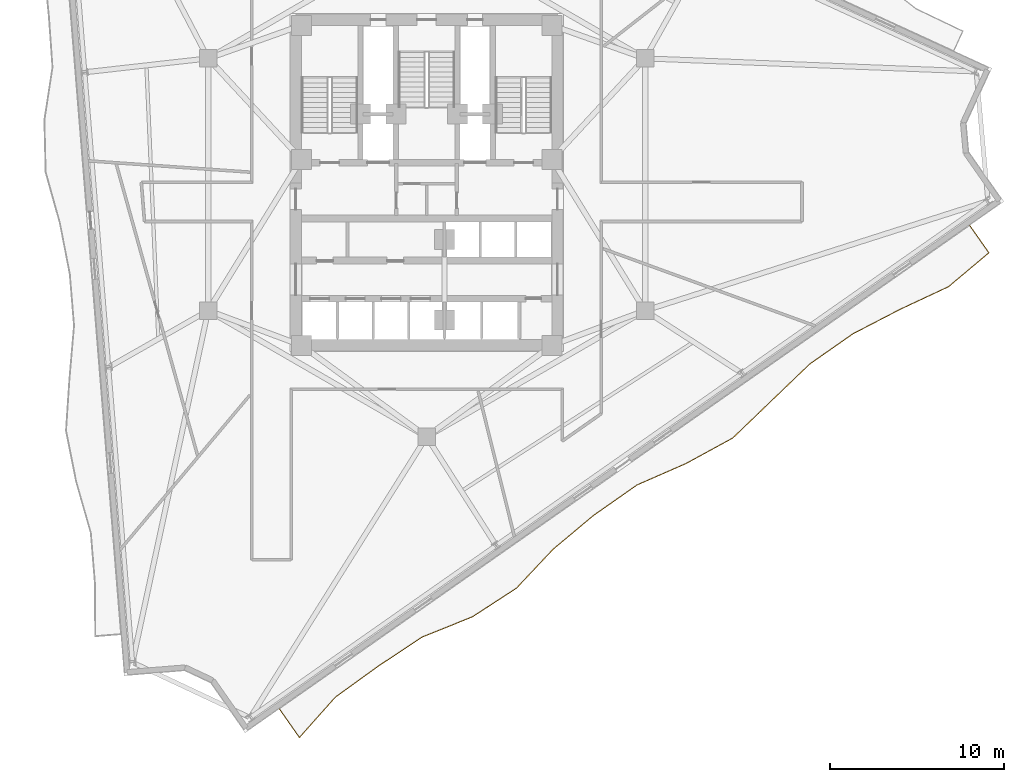
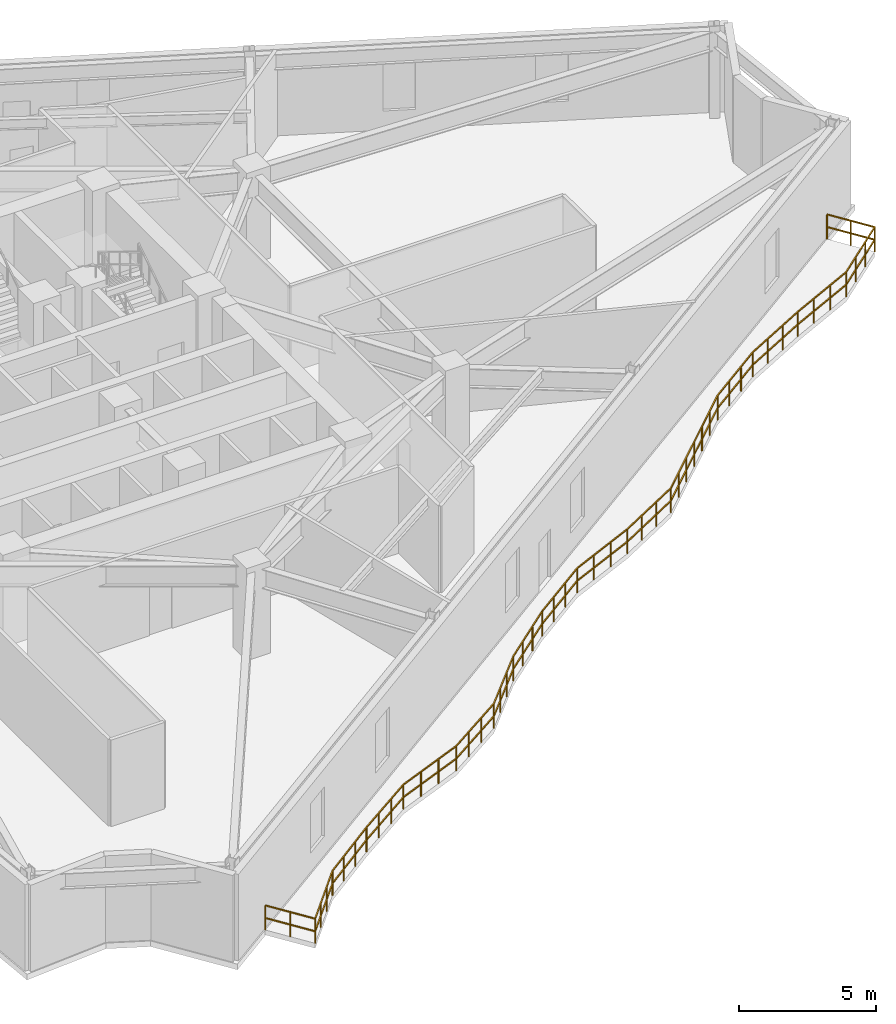
# One storey, part 9 of 11: 1 railing.
"""IFC4 building model written with IfcOpenShell, lengths in metres."""

from ifc_helpers import new_model, si_unit, direction, frame, origin, origin_2d, place, context, subcontext, project, spatial, rectangle, extrude, material, type_object, element, save


model = new_model("IFC4")

# Units and contexts
model_context = context("Model", 3, precision=1e-05, world=origin(), true_north=direction((0.0, 1.0)))
body_context = subcontext(model_context, "Body", "Model", "MODEL_VIEW")
ifc_project = project(units=[si_unit("LENGTHUNIT", "METRE"), si_unit("AREAUNIT", "SQUARE_METRE"), si_unit("VOLUMEUNIT", "CUBIC_METRE"), si_unit("PLANEANGLEUNIT", "RADIAN"), si_unit("MASSUNIT", "GRAM", prefix="KILO")], contexts=[model_context])

# Site, building, storey
site_placement = place(None, origin())
site = spatial("IfcSite", under=ifc_project, at=site_placement, CompositionType="ELEMENT")
building_placement = place(site_placement, origin())
building = spatial("IfcBuilding", under=site, at=building_placement, Name="Apsidion Concourse Tower", CompositionType="ELEMENT")
storey_placement = place(building_placement, frame((0.0, 0.0, 206.5)))
storey = spatial("IfcBuildingStorey", under=building, at=storey_placement, Name="L48", CompositionType="ELEMENT", Elevation=206.5)

# Railing
ifc_material = material(Name="Brushed stainless steel 316", Category="steel")
railing_type = type_object("IfcRailingType", Name="RL-BAL-1120", PredefinedType="BALUSTRADE", material=ifc_material)
railing_placement = place(storey_placement, frame((31.23095703125, -2.356689453125, 0.0)))
element("IfcRailing", 1, at=railing_placement, inside=storey, type_object=railing_type, Name="L48 Face 2 Rippling Balcony Balustrade", PredefinedType="BALUSTRADE", context=body_context, shape_type="SweptSolid", body=[
    extrude(rectangle(XDim=0.048095703125, YDim=0.048095703125, at=origin_2d()), frame((0.0, 0.0, 1.09619140625), z_axis=(0.57360747874, -0.819130307298, 0.0), x_axis=(0.819130307298, 0.57360747874, 0.0)), (0.0, 0.0, 1.0), 1.919189453125),
    extrude(rectangle(XDim=0.048095703125, YDim=0.048095703125, at=origin_2d()), frame((0.0, 0.0, 0.5361328125), z_axis=(0.57360747874, -0.819130307298, 0.0), x_axis=(0.819130307298, 0.57360747874, 0.0)), (0.0, 0.0, 1.0), 1.919189453125),
    extrude(rectangle(XDim=0.048095703125, YDim=0.048095703125, at=origin_2d()), frame((1.100830078125, -1.572021484375, 1.09619140625), z_axis=(-0.766084397275, -0.642739991173, 0.0), x_axis=(0.642739991173, -0.766084397275, 0.0)), (0.0, 0.0, 1.0), 3.040283203125),
    extrude(rectangle(XDim=0.048095703125, YDim=0.048095703125, at=origin_2d()), frame((1.100830078125, -1.572021484375, 0.5361328125), z_axis=(-0.766084397275, -0.642739991173, 0.0), x_axis=(0.642739991173, -0.766084397275, 0.0)), (0.0, 0.0, 1.0), 3.040283203125),
    extrude(rectangle(XDim=0.048095703125, YDim=0.048095703125, at=origin_2d()), frame((-1.228271484375, -3.526123046875, 1.09619140625), z_axis=(-0.905882748501, -0.423528565705, 0.0), x_axis=(0.423528565705, -0.905882748501, 0.0)), (0.0, 0.0, 1.0), 3.075439453125),
    extrude(rectangle(XDim=0.048095703125, YDim=0.048095703125, at=origin_2d()), frame((-1.228271484375, -3.526123046875, 0.5361328125), z_axis=(-0.905882748501, -0.423528565705, 0.0), x_axis=(0.423528565705, -0.905882748501, 0.0)), (0.0, 0.0, 1.0), 3.075439453125),
    extrude(rectangle(XDim=0.048095703125, YDim=0.048095703125, at=origin_2d()), frame((-4.01416015625, -4.82861328125, 1.09619140625), z_axis=(-0.887663811327, -0.460492082517, 0.0), x_axis=(0.460492082517, -0.887663811327, 0.0)), (0.0, 0.0, 1.0), 3.055419921875),
    extrude(rectangle(XDim=0.048095703125, YDim=0.048095703125, at=origin_2d()), frame((-4.01416015625, -4.82861328125, 0.5361328125), z_axis=(-0.887663811327, -0.460492082517, 0.0), x_axis=(0.460492082517, -0.887663811327, 0.0)), (0.0, 0.0, 1.0), 3.055419921875),
    extrude(rectangle(XDim=0.048095703125, YDim=0.048095703125, at=origin_2d()), frame((-6.726318359375, -6.235595703125, 1.09619140625), z_axis=(-0.819122096867, -0.573619203326, 0.0), x_axis=(0.573619203326, -0.819122096867, 0.0)), (0.0, 0.0, 1.0), 3.029052734375),
    extrude(rectangle(XDim=0.048095703125, YDim=0.048095703125, at=origin_2d()), frame((-6.726318359375, -6.235595703125, 0.5361328125), z_axis=(-0.819122096867, -0.573619203326, 0.0), x_axis=(0.573619203326, -0.819122096867, 0.0)), (0.0, 0.0, 1.0), 3.029052734375),
    extrude(rectangle(XDim=0.048095703125, YDim=0.048095703125, at=origin_2d()), frame((-9.20751953125, -7.97314453125, 1.09619140625), z_axis=(-0.721102369668, -0.692828530345, 0.0), x_axis=(0.692828530345, -0.721102369668, 0.0)), (0.0, 0.0, 1.0), 3.0654296875),
    extrude(rectangle(XDim=0.048095703125, YDim=0.048095703125, at=origin_2d()), frame((-9.20751953125, -7.97314453125, 0.5361328125), z_axis=(-0.721102369668, -0.692828530345, 0.0), x_axis=(0.692828530345, -0.721102369668, 0.0)), (0.0, 0.0, 1.0), 3.0654296875),
    extrude(rectangle(XDim=0.048095703125, YDim=0.048095703125, at=origin_2d()), frame((-11.41796875, -10.096923828125, 1.09619140625), z_axis=(-0.720670842885, -0.693277387642, 0.0), x_axis=(0.693277387642, -0.720670842885, 0.0)), (0.0, 0.0, 1.0), 3.06591796875),
    extrude(rectangle(XDim=0.048095703125, YDim=0.048095703125, at=origin_2d()), frame((-11.41796875, -10.096923828125, 0.5361328125), z_axis=(-0.720670842885, -0.693277387642, 0.0), x_axis=(0.693277387642, -0.720670842885, 0.0)), (0.0, 0.0, 1.0), 3.06591796875),
    extrude(rectangle(XDim=0.048095703125, YDim=0.048095703125, at=origin_2d()), frame((-13.62744140625, -12.222412109375, 1.09619140625), z_axis=(-0.877555510307, -0.479475052875, 0.0), x_axis=(0.479475052875, -0.877555510307, 0.0)), (0.0, 0.0, 1.0), 3.04736328125),
    extrude(rectangle(XDim=0.048095703125, YDim=0.048095703125, at=origin_2d()), frame((-13.62744140625, -12.222412109375, 0.5361328125), z_axis=(-0.877555510307, -0.479475052875, 0.0), x_axis=(0.479475052875, -0.877555510307, 0.0)), (0.0, 0.0, 1.0), 3.04736328125),
    extrude(rectangle(XDim=0.048095703125, YDim=0.048095703125, at=origin_2d()), frame((-16.3017578125, -13.68359375, 1.09619140625), z_axis=(-0.916097475538, -0.40095562761, 0.0), x_axis=(0.40095562761, -0.916097475538, 0.0)), (0.0, 0.0, 1.0), 3.089599609375),
    extrude(rectangle(XDim=0.048095703125, YDim=0.048095703125, at=origin_2d()), frame((-16.3017578125, -13.68359375, 0.5361328125), z_axis=(-0.916097475538, -0.40095562761, 0.0), x_axis=(0.40095562761, -0.916097475538, 0.0)), (0.0, 0.0, 1.0), 3.089599609375),
    extrude(rectangle(XDim=0.048095703125, YDim=0.048095703125, at=origin_2d()), frame((-19.132080078125, -14.92236328125, 1.09619140625), z_axis=(-0.819159967158, -0.573565121155, 0.0), x_axis=(0.573565121155, -0.819159967158, 0.0)), (0.0, 0.0, 1.0), 3.029052734375),
    extrude(rectangle(XDim=0.048095703125, YDim=0.048095703125, at=origin_2d()), frame((-19.132080078125, -14.92236328125, 0.5361328125), z_axis=(-0.819159967158, -0.573565121155, 0.0), x_axis=(0.573565121155, -0.819159967158, 0.0)), (0.0, 0.0, 1.0), 3.029052734375),
    extrude(rectangle(XDim=0.048095703125, YDim=0.048095703125, at=origin_2d()), frame((-21.61328125, -16.65966796875, 1.09619140625), z_axis=(-0.767997396558, -0.640452963831, 0.0), x_axis=(0.640452963831, -0.767997396558, 0.0)), (0.0, 0.0, 1.0), 3.039794921875),
    extrude(rectangle(XDim=0.048095703125, YDim=0.048095703125, at=origin_2d()), frame((-21.61328125, -16.65966796875, 0.5361328125), z_axis=(-0.767997396558, -0.640452963831, 0.0), x_axis=(0.640452963831, -0.767997396558, 0.0)), (0.0, 0.0, 1.0), 3.039794921875),
    extrude(rectangle(XDim=0.048095703125, YDim=0.048095703125, at=origin_2d()), frame((-23.94775390625, -18.6064453125, 1.09619140625), z_axis=(-0.68523422195, -0.728322772587, 0.0), x_axis=(0.728322772587, -0.68523422195, 0.0)), (0.0, 0.0, 1.0), 3.09375),
    extrude(rectangle(XDim=0.048095703125, YDim=0.048095703125, at=origin_2d()), frame((-23.94775390625, -18.6064453125, 0.5361328125), z_axis=(-0.68523422195, -0.728322772587, 0.0), x_axis=(0.728322772587, -0.68523422195, 0.0)), (0.0, 0.0, 1.0), 3.09375),
    extrude(rectangle(XDim=0.048095703125, YDim=0.048095703125, at=origin_2d()), frame((-26.067626953125, -20.859619140625, 1.09619140625), z_axis=(-0.838633126096, -0.544696686069, 0.0), x_axis=(0.544696686069, -0.838633126096, 0.0)), (0.0, 0.0, 1.0), 3.03076171875),
    extrude(rectangle(XDim=0.048095703125, YDim=0.048095703125, at=origin_2d()), frame((-26.067626953125, -20.859619140625, 0.5361328125), z_axis=(-0.838633126096, -0.544696686069, 0.0), x_axis=(0.544696686069, -0.838633126096, 0.0)), (0.0, 0.0, 1.0), 3.03076171875),
    extrude(rectangle(XDim=0.048095703125, YDim=0.048095703125, at=origin_2d()), frame((-28.609375, -22.510498046875, 1.09619140625), z_axis=(-0.928216636407, -0.372040153608, 0.0), x_axis=(0.372040153608, -0.928216636407, 0.0)), (0.0, 0.0, 1.0), 3.110595703125),
    extrude(rectangle(XDim=0.048095703125, YDim=0.048095703125, at=origin_2d()), frame((-28.609375, -22.510498046875, 0.5361328125), z_axis=(-0.928216636407, -0.372040153608, 0.0), x_axis=(0.372040153608, -0.928216636407, 0.0)), (0.0, 0.0, 1.0), 3.110595703125),
    extrude(rectangle(XDim=0.048095703125, YDim=0.048095703125, at=origin_2d()), frame((-31.49658203125, -23.667724609375, 1.09619140625), z_axis=(-0.8325334472, -0.553974782182, 0.0), x_axis=(0.553974782182, -0.8325334472, 0.0)), (0.0, 0.0, 1.0), 3.02978515625),
    extrude(rectangle(XDim=0.048095703125, YDim=0.048095703125, at=origin_2d()), frame((-31.49658203125, -23.667724609375, 0.5361328125), z_axis=(-0.8325334472, -0.553974782182, 0.0), x_axis=(0.553974782182, -0.8325334472, 0.0)), (0.0, 0.0, 1.0), 3.02978515625),
    extrude(rectangle(XDim=0.048095703125, YDim=0.048095703125, at=origin_2d()), frame((-34.01904296875, -25.34619140625, 1.09619140625), z_axis=(-0.810645222594, -0.585537635926, 0.0), x_axis=(0.585537635926, -0.810645222594, 0.0)), (0.0, 0.0, 1.0), 3.029052734375),
    extrude(rectangle(XDim=0.048095703125, YDim=0.048095703125, at=origin_2d()), frame((-34.01904296875, -25.34619140625, 0.5361328125), z_axis=(-0.810645222594, -0.585537635926, 0.0), x_axis=(0.585537635926, -0.810645222594, 0.0)), (0.0, 0.0, 1.0), 3.029052734375),
    extrude(rectangle(XDim=0.048095703125, YDim=0.048095703125, at=origin_2d()), frame((-36.474609375, -27.119873046875, 1.09619140625), z_axis=(-0.66542944251, -0.746460753852, 0.0), x_axis=(0.746460753852, -0.66542944251, 0.0)), (0.0, 0.0, 1.0), 3.1123046875),
    extrude(rectangle(XDim=0.048095703125, YDim=0.048095703125, at=origin_2d()), frame((-36.474609375, -27.119873046875, 0.5361328125), z_axis=(-0.66542944251, -0.746460753852, 0.0), x_axis=(0.746460753852, -0.66542944251, 0.0)), (0.0, 0.0, 1.0), 3.1123046875),
    extrude(rectangle(XDim=0.048095703125, YDim=0.048095703125, at=origin_2d()), frame((-38.545654296875, -29.443115234375, 1.09619140625), z_axis=(-0.573535722909, 0.81918055064, 0.0), x_axis=(-0.81918055064, -0.573535722909, 0.0)), (0.0, 0.0, 1.0), 2.009521484375),
    extrude(rectangle(XDim=0.048095703125, YDim=0.048095703125, at=origin_2d()), frame((-38.545654296875, -29.443115234375, 0.5361328125), z_axis=(-0.573535722909, 0.81918055064, 0.0), x_axis=(-0.81918055064, -0.573535722909, 0.0)), (0.0, 0.0, 1.0), 2.009521484375),
    extrude(rectangle(XDim=0.0419921875, YDim=0.0419921875, at=origin_2d()), origin(), (0.0, 0.0, 1.0), 1.072021484375),
    extrude(rectangle(XDim=0.0419921875, YDim=0.0419921875, at=origin_2d()), frame((0.55029296875, -0.7861328125, 0.0)), (0.0, 0.0, 1.0), 1.072021484375),
    extrude(rectangle(XDim=0.0419921875, YDim=0.0419921875, at=origin_2d()), frame((1.100830078125, -1.572021484375, 0.0)), (0.0, 0.0, 1.0), 1.072021484375),
    extrude(rectangle(XDim=0.0419921875, YDim=0.0419921875, at=origin_2d()), frame((0.324462890625, -2.223388671875, 0.0)), (0.0, 0.0, 1.0), 1.072021484375),
    extrude(rectangle(XDim=0.0419921875, YDim=0.0419921875, at=origin_2d()), frame((-0.451904296875, -2.874755859375, 0.0)), (0.0, 0.0, 1.0), 1.072021484375),
    extrude(rectangle(XDim=0.0419921875, YDim=0.0419921875, at=origin_2d()), frame((-1.228271484375, -3.526123046875, 0.0)), (0.0, 0.0, 1.0), 1.072021484375),
    extrude(rectangle(XDim=0.0419921875, YDim=0.0419921875, at=origin_2d()), frame((-2.156982421875, -3.960205078125, 0.0)), (0.0, 0.0, 1.0), 1.072021484375),
    extrude(rectangle(XDim=0.0419921875, YDim=0.0419921875, at=origin_2d()), frame((-3.08544921875, -4.39453125, 0.0)), (0.0, 0.0, 1.0), 1.072021484375),
    extrude(rectangle(XDim=0.0419921875, YDim=0.0419921875, at=origin_2d()), frame((-4.01416015625, -4.82861328125, 0.0)), (0.0, 0.0, 1.0), 1.072021484375),
    extrude(rectangle(XDim=0.0419921875, YDim=0.0419921875, at=origin_2d()), frame((-4.918212890625, -5.297607421875, 0.0)), (0.0, 0.0, 1.0), 1.072021484375),
    extrude(rectangle(XDim=0.0419921875, YDim=0.0419921875, at=origin_2d()), frame((-5.822265625, -5.7666015625, 0.0)), (0.0, 0.0, 1.0), 1.072021484375),
    extrude(rectangle(XDim=0.0419921875, YDim=0.0419921875, at=origin_2d()), frame((-6.726318359375, -6.235595703125, 0.0)), (0.0, 0.0, 1.0), 1.072021484375),
    extrude(rectangle(XDim=0.0419921875, YDim=0.0419921875, at=origin_2d()), frame((-7.553466796875, -6.814697265625, 0.0)), (0.0, 0.0, 1.0), 1.072021484375),
    extrude(rectangle(XDim=0.0419921875, YDim=0.0419921875, at=origin_2d()), frame((-8.38037109375, -7.39404296875, 0.0)), (0.0, 0.0, 1.0), 1.072021484375),
    extrude(rectangle(XDim=0.0419921875, YDim=0.0419921875, at=origin_2d()), frame((-9.20751953125, -7.97314453125, 0.0)), (0.0, 0.0, 1.0), 1.072021484375),
    extrude(rectangle(XDim=0.0419921875, YDim=0.0419921875, at=origin_2d()), frame((-9.9443359375, -8.68115234375, 0.0)), (0.0, 0.0, 1.0), 1.072021484375),
    extrude(rectangle(XDim=0.0419921875, YDim=0.0419921875, at=origin_2d()), frame((-10.68115234375, -9.388916015625, 0.0)), (0.0, 0.0, 1.0), 1.072021484375),
    extrude(rectangle(XDim=0.0419921875, YDim=0.0419921875, at=origin_2d()), frame((-11.41796875, -10.096923828125, 0.0)), (0.0, 0.0, 1.0), 1.072021484375),
    extrude(rectangle(XDim=0.0419921875, YDim=0.0419921875, at=origin_2d()), frame((-12.154541015625, -10.805419921875, 0.0)), (0.0, 0.0, 1.0), 1.072021484375),
    extrude(rectangle(XDim=0.0419921875, YDim=0.0419921875, at=origin_2d()), frame((-12.890869140625, -11.513916015625, 0.0)), (0.0, 0.0, 1.0), 1.072021484375),
    extrude(rectangle(XDim=0.0419921875, YDim=0.0419921875, at=origin_2d()), frame((-13.62744140625, -12.222412109375, 0.0)), (0.0, 0.0, 1.0), 1.072021484375),
    extrude(rectangle(XDim=0.0419921875, YDim=0.0419921875, at=origin_2d()), frame((-14.518798828125, -12.70947265625, 0.0)), (0.0, 0.0, 1.0), 1.072021484375),
    extrude(rectangle(XDim=0.0419921875, YDim=0.0419921875, at=origin_2d()), frame((-15.410400390625, -13.196533203125, 0.0)), (0.0, 0.0, 1.0), 1.072021484375),
    extrude(rectangle(XDim=0.0419921875, YDim=0.0419921875, at=origin_2d()), frame((-16.3017578125, -13.68359375, 0.0)), (0.0, 0.0, 1.0), 1.072021484375),
    extrude(rectangle(XDim=0.0419921875, YDim=0.0419921875, at=origin_2d()), frame((-17.2451171875, -14.096435546875, 0.0)), (0.0, 0.0, 1.0), 1.072021484375),
    extrude(rectangle(XDim=0.0419921875, YDim=0.0419921875, at=origin_2d()), frame((-18.188720703125, -14.509521484375, 0.0)), (0.0, 0.0, 1.0), 1.072021484375),
    extrude(rectangle(XDim=0.0419921875, YDim=0.0419921875, at=origin_2d()), frame((-19.132080078125, -14.92236328125, 0.0)), (0.0, 0.0, 1.0), 1.072021484375),
    extrude(rectangle(XDim=0.0419921875, YDim=0.0419921875, at=origin_2d()), frame((-19.959228515625, -15.50146484375, 0.0)), (0.0, 0.0, 1.0), 1.072021484375),
    extrude(rectangle(XDim=0.0419921875, YDim=0.0419921875, at=origin_2d()), frame((-20.7861328125, -16.08056640625, 0.0)), (0.0, 0.0, 1.0), 1.072021484375),
    extrude(rectangle(XDim=0.0419921875, YDim=0.0419921875, at=origin_2d()), frame((-21.61328125, -16.65966796875, 0.0)), (0.0, 0.0, 1.0), 1.072021484375),
    extrude(rectangle(XDim=0.0419921875, YDim=0.0419921875, at=origin_2d()), frame((-22.391357421875, -17.30859375, 0.0)), (0.0, 0.0, 1.0), 1.072021484375),
    extrude(rectangle(XDim=0.0419921875, YDim=0.0419921875, at=origin_2d()), frame((-23.169677734375, -17.95751953125, 0.0)), (0.0, 0.0, 1.0), 1.072021484375),
    extrude(rectangle(XDim=0.0419921875, YDim=0.0419921875, at=origin_2d()), frame((-23.94775390625, -18.6064453125, 0.0)), (0.0, 0.0, 1.0), 1.072021484375),
    extrude(rectangle(XDim=0.0419921875, YDim=0.0419921875, at=origin_2d()), frame((-24.654296875, -19.357421875, 0.0)), (0.0, 0.0, 1.0), 1.072021484375),
    extrude(rectangle(XDim=0.0419921875, YDim=0.0419921875, at=origin_2d()), frame((-25.361083984375, -20.108642578125, 0.0)), (0.0, 0.0, 1.0), 1.072021484375),
    extrude(rectangle(XDim=0.0419921875, YDim=0.0419921875, at=origin_2d()), frame((-26.067626953125, -20.859619140625, 0.0)), (0.0, 0.0, 1.0), 1.072021484375),
    extrude(rectangle(XDim=0.0419921875, YDim=0.0419921875, at=origin_2d()), frame((-26.914794921875, -21.409912109375, 0.0)), (0.0, 0.0, 1.0), 1.072021484375),
    extrude(rectangle(XDim=0.0419921875, YDim=0.0419921875, at=origin_2d()), frame((-27.76220703125, -21.960205078125, 0.0)), (0.0, 0.0, 1.0), 1.072021484375),
    extrude(rectangle(XDim=0.0419921875, YDim=0.0419921875, at=origin_2d()), frame((-28.609375, -22.510498046875, 0.0)), (0.0, 0.0, 1.0), 1.072021484375),
    extrude(rectangle(XDim=0.0419921875, YDim=0.0419921875, at=origin_2d()), frame((-29.57177734375, -22.896240234375, 0.0)), (0.0, 0.0, 1.0), 1.072021484375),
    extrude(rectangle(XDim=0.0419921875, YDim=0.0419921875, at=origin_2d()), frame((-30.5341796875, -23.281982421875, 0.0)), (0.0, 0.0, 1.0), 1.072021484375),
    extrude(rectangle(XDim=0.0419921875, YDim=0.0419921875, at=origin_2d()), frame((-31.49658203125, -23.667724609375, 0.0)), (0.0, 0.0, 1.0), 1.072021484375),
    extrude(rectangle(XDim=0.0419921875, YDim=0.0419921875, at=origin_2d()), frame((-32.33740234375, -24.227294921875, 0.0)), (0.0, 0.0, 1.0), 1.072021484375),
    extrude(rectangle(XDim=0.0419921875, YDim=0.0419921875, at=origin_2d()), frame((-33.17822265625, -24.78662109375, 0.0)), (0.0, 0.0, 1.0), 1.072021484375),
    extrude(rectangle(XDim=0.0419921875, YDim=0.0419921875, at=origin_2d()), frame((-34.01904296875, -25.34619140625, 0.0)), (0.0, 0.0, 1.0), 1.072021484375),
    extrude(rectangle(XDim=0.0419921875, YDim=0.0419921875, at=origin_2d()), frame((-34.837646484375, -25.9375, 0.0)), (0.0, 0.0, 1.0), 1.072021484375),
    extrude(rectangle(XDim=0.0419921875, YDim=0.0419921875, at=origin_2d()), frame((-35.656005859375, -26.528564453125, 0.0)), (0.0, 0.0, 1.0), 1.072021484375),
    extrude(rectangle(XDim=0.0419921875, YDim=0.0419921875, at=origin_2d()), frame((-36.474609375, -27.119873046875, 0.0)), (0.0, 0.0, 1.0), 1.072021484375),
    extrude(rectangle(XDim=0.0419921875, YDim=0.0419921875, at=origin_2d()), frame((-37.1650390625, -27.894287109375, 0.0)), (0.0, 0.0, 1.0), 1.072021484375),
    extrude(rectangle(XDim=0.0419921875, YDim=0.0419921875, at=origin_2d()), frame((-37.855224609375, -28.668701171875, 0.0)), (0.0, 0.0, 1.0), 1.072021484375),
    extrude(rectangle(XDim=0.0419921875, YDim=0.0419921875, at=origin_2d()), frame((-38.545654296875, -29.443115234375, 0.0)), (0.0, 0.0, 1.0), 1.072021484375),
    extrude(rectangle(XDim=0.0419921875, YDim=0.0419921875, at=origin_2d()), frame((-39.1220703125, -28.6201171875, 0.0)), (0.0, 0.0, 1.0), 1.072021484375),
    extrude(rectangle(XDim=0.0419921875, YDim=0.0419921875, at=origin_2d()), frame((-39.6982421875, -27.796875, 0.0)), (0.0, 0.0, 1.0), 1.072021484375),
])

save(model, "model.ifc")
